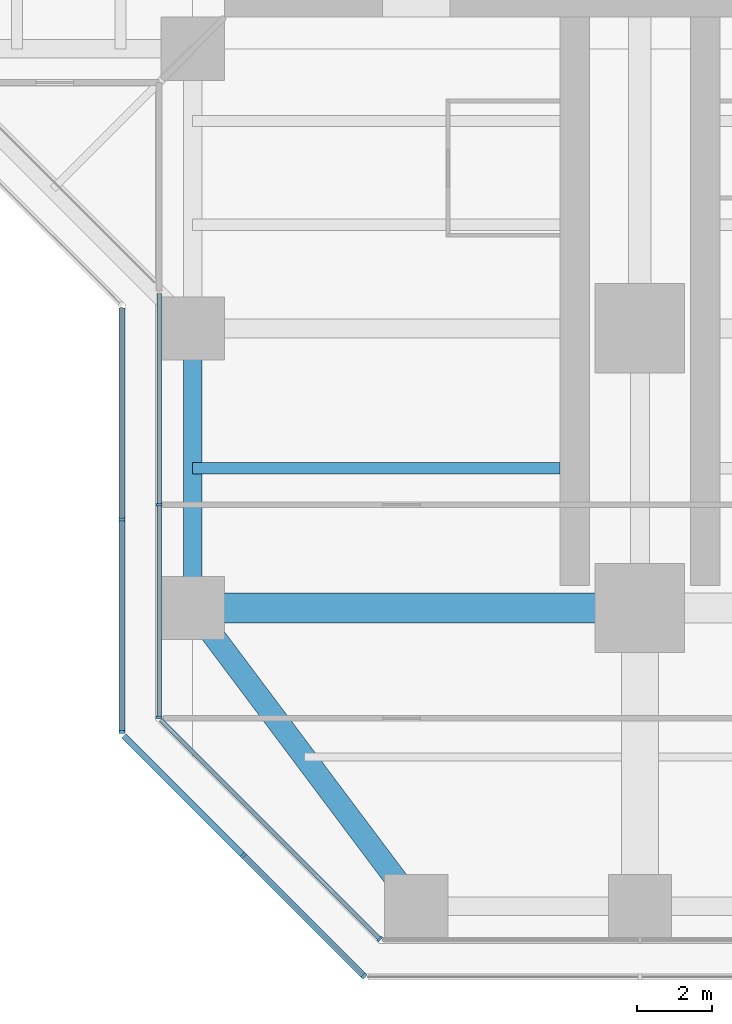
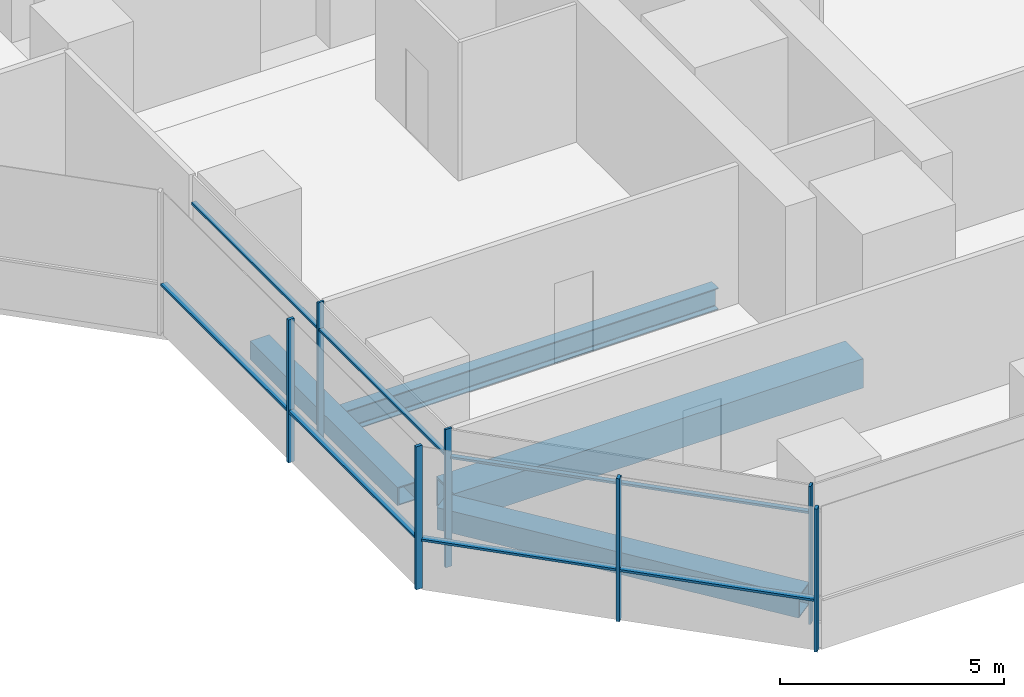
# One storey, part 2 of 22: 14 members, 4 beams, 4 elements without a shape of their own.
"""IFC4 building model written with IfcOpenShell, lengths in metres."""

import ifcopenshell
import ifcopenshell.guid

model = None  # the IFC model being written
_history = None  # IfcOwnerHistory: only IFC2X3 demands one
_inside = {}  # id of a spatial element -> (the spatial element, [elements in it])
_under = {}  # id of a project, library or spatial element -> (it, [spatial elements below it])
_declared = {}  # id of a project -> (the project, [libraries it declares])
_typed = {}  # id of a type object -> (the type object, [elements of that type])
_made_of = {}  # id of a material, layer set ... -> (it, [elements and type objects made of it])


def new_model(schema):
    """Start an empty IFC model of exactly this schema.

    Asked for "IFC4X3", IfcOpenShell would pick the latest addendum, in which some entities
    have other attributes; the version numbers below select the first issue.
    IFC2X3 requires an IfcOwnerHistory on every rooted entity: one is made here for all.
    """
    global model, _history
    if schema == "IFC4X3":
        model = ifcopenshell.file(schema_version=(4, 3, 0, 0))
    else:
        model = ifcopenshell.file(schema=schema)
    _inside.clear()
    _under.clear()
    _declared.clear()
    _typed.clear()
    _made_of.clear()
    _history = None
    if model.schema == "IFC2X3":
        org = make("IfcOrganization", Name="unknown")
        user = make(
            "IfcPersonAndOrganization",
            ThePerson=make("IfcPerson", FamilyName="unknown"),
            TheOrganization=org,
        )
        app = make(
            "IfcApplication",
            ApplicationDeveloper=org,
            Version="unknown",
            ApplicationFullName="unknown",
            ApplicationIdentifier="unknown",
        )
        _history = make(
            "IfcOwnerHistory",
            OwningUser=user,
            OwningApplication=app,
            ChangeAction="ADDED",
            CreationDate=0,
        )
    return model


def make(cls, **values):
    """One entity of the class cls with the attributes given. An attribute that is None is left unset."""
    return model.create_entity(
        cls, **{name: value for name, value in values.items() if value is not None}
    )


def rooted(cls, **values):
    """An entity with a GlobalId (a new one), such as an element, a storey or a relation."""
    return make(cls, GlobalId=ifcopenshell.guid.new(), OwnerHistory=_history, **values)


def si_unit(unit_type, name, prefix=None):
    """IfcSIUnit, for example si_unit("LENGTHUNIT", "METRE", prefix="MILLI")."""
    return make("IfcSIUnit", UnitType=unit_type, Prefix=prefix, Name=name)


def assignment(units):
    """IfcUnitAssignment: the units of a project."""
    return None if units is None else make("IfcUnitAssignment", Units=units)


def point(xyz):
    """IfcCartesianPoint."""
    return None if xyz is None else make("IfcCartesianPoint", Coordinates=xyz)


def direction(xyz):
    """IfcDirection."""
    return None if xyz is None else make("IfcDirection", DirectionRatios=xyz)


def frame(location, z_axis=None, x_axis=None):
    """IfcAxis2Placement3D, a coordinate frame: its origin and axes. An axis left out is left unset."""
    return make(
        "IfcAxis2Placement3D",
        Location=point(location),
        Axis=direction(z_axis),
        RefDirection=direction(x_axis),
    )


def frame_2d(location, x_axis=None):
    """IfcAxis2Placement2D, a coordinate frame in the plane: its origin and x axis."""
    return make(
        "IfcAxis2Placement2D", Location=point(location), RefDirection=direction(x_axis)
    )


def origin():
    """The frame at (0, 0, 0) with its axes left unset."""
    return frame((0.0, 0.0, 0.0))


def origin_2d():
    """The frame at (0, 0) in the plane with its x axis left unset."""
    return frame_2d((0.0, 0.0))


def place(relative_to, where):
    """IfcLocalPlacement: puts the frame where relative to a parent placement (None: the world)."""
    return make(
        "IfcLocalPlacement", PlacementRelTo=relative_to, RelativePlacement=where
    )


def context(
    kind, dimensions, precision=None, world=None, true_north=None, identifier=None
):
    """IfcGeometricRepresentationContext, for example the 3D "Model" context."""
    return make(
        "IfcGeometricRepresentationContext",
        ContextIdentifier=identifier,
        ContextType=kind,
        CoordinateSpaceDimension=dimensions,
        Precision=precision,
        WorldCoordinateSystem=world,
        TrueNorth=true_north,
    )


def subcontext(parent, identifier, kind, view, scale=None):
    """IfcGeometricRepresentationSubContext, for example "Body" below "Model"."""
    return make(
        "IfcGeometricRepresentationSubContext",
        ContextIdentifier=identifier,
        ContextType=kind,
        ParentContext=parent,
        TargetScale=scale,
        TargetView=view,
    )


def project(units=None, contexts=None):
    """IfcProject with its units and contexts."""
    return rooted(
        "IfcProject",
        Name="project",
        RepresentationContexts=contexts,
        UnitsInContext=assignment(units),
    )


def spatial(cls, under=None, at=None, **own):
    """A site, building, storey or space (cls), placed at a placement, below another one or the project."""
    s = rooted(cls, ObjectPlacement=at, **own)
    if under is not None:
        _under.setdefault(under.id(), (under, []))[1].append(s)
    return s


def profile(cls, at=None, kind="AREA", **sizes):
    """A parametric profile (cls). Its sizes go by their IFC names, for example OverallWidth=200.0."""
    return make(cls, ProfileType=kind, Position=at, **sizes)


def rectangle(**sizes):
    """IfcRectangleProfileDef."""
    return profile("IfcRectangleProfileDef", **sizes)


def hollow_rectangle(**sizes):
    """IfcRectangleHollowProfileDef."""
    return profile("IfcRectangleHollowProfileDef", **sizes)


def i_section(**sizes):
    """IfcIShapeProfileDef."""
    return profile("IfcIShapeProfileDef", **sizes)


def extrude(swept, where, along, depth):
    """IfcExtrudedAreaSolid: the profile swept, set in the frame where, extruded along a direction by depth."""
    return make(
        "IfcExtrudedAreaSolid",
        SweptArea=swept,
        Position=where,
        ExtrudedDirection=direction(along),
        Depth=depth,
    )


def shape(context_of_items, identifier, shape_type, items):
    """IfcShapeRepresentation: the items that make up one representation, for example the "Body"."""
    return make(
        "IfcShapeRepresentation",
        ContextOfItems=context_of_items,
        RepresentationIdentifier=identifier,
        RepresentationType=shape_type,
        Items=items,
    )


def material(Name=None, Category=None):
    """IfcMaterial."""
    return make("IfcMaterial", Name=Name, Category=Category)


def material_profile(
    of_material, cross_section, Name=None, Category=None, Priority=None
):
    """IfcMaterialProfile: a cross section and its material."""
    return make(
        "IfcMaterialProfile",
        Name=Name,
        Material=of_material,
        Profile=cross_section,
        Priority=Priority,
        Category=Category,
    )


def profile_set(profiles, Name=None, composite=None):
    """IfcMaterialProfileSet."""
    return make(
        "IfcMaterialProfileSet",
        Name=Name,
        MaterialProfiles=profiles,
        CompositeProfile=composite,
    )


def made_of(thing, what):
    """Note that an element or type object is made of a material, layer set ...; save() writes the relation."""
    if what is not None:
        _made_of.setdefault(what.id(), (what, []))[1].append(thing)
    return thing


def type_object(cls, material=None, **own):
    """A type object (cls), such as IfcWallType, which elements share."""
    return made_of(rooted(cls, **own), material)


def element(
    cls,
    number,
    at=None,
    inside=None,
    cuts=None,
    type_object=None,
    material=None,
    context=None,
    identifier="Body",
    shape_type=None,
    held_by="IfcProductDefinitionShape",
    body=None,
    shapes=None,
    **own,
):
    """One element of the class cls, such as IfcWall. Its Tag is "e" and its number.

    at: its placement. inside: the storey or other place that contains it. cuts: it is an
    opening in that element (IfcRelVoidsElement). A single representation is given by context,
    identifier, shape_type and body (its items); several are given by shapes. held_by: the class
    of the entity that holds the representations. save() writes the other relations.
    """
    e = rooted(cls, Tag="e%d" % number, ObjectPlacement=at, **own)
    if body is not None:
        shapes = [shape(context, identifier, shape_type, body)]
    if shapes is not None:
        e.Representation = make(held_by, Representations=shapes)
    if inside is not None:
        _inside.setdefault(inside.id(), (inside, []))[1].append(e)
    if cuts is not None:
        rooted(
            "IfcRelVoidsElement", RelatingBuildingElement=cuts, RelatedOpeningElement=e
        )
    if type_object is not None:
        _typed.setdefault(type_object.id(), (type_object, []))[1].append(e)
    return made_of(e, material)


def aggregate(whole, parts):
    """IfcRelAggregates: a whole, such as a stair, and the parts it consists of."""
    return rooted("IfcRelAggregates", RelatingObject=whole, RelatedObjects=parts)


def save(model, path):
    """Write the relations noted so far, then the file.

    IfcRelAggregates (storeys below a building ...), IfcRelContainedInSpatialStructure (elements
    in a storey), IfcRelDefinesByType, IfcRelAssociatesMaterial and IfcRelDeclares: one each for
    every whole, place, type object, material and project.
    """
    for whole, parts in _under.values():
        aggregate(whole, parts)
    for where, things in _inside.values():
        rooted(
            "IfcRelContainedInSpatialStructure",
            RelatedElements=things,
            RelatingStructure=where,
        )
    for kind, things in _typed.values():
        rooted("IfcRelDefinesByType", RelatedObjects=things, RelatingType=kind)
    for what, things in _made_of.values():
        rooted("IfcRelAssociatesMaterial", RelatedObjects=things, RelatingMaterial=what)
    for by, libraries in _declared.values():
        rooted("IfcRelDeclares", RelatingContext=by, RelatedDefinitions=libraries)
    model.write(path)


model = new_model("IFC4")

# Units and contexts
model_context = context("Model", 3, precision=1e-05, world=origin(), true_north=direction((0.0, 1.0)))
body_context = subcontext(model_context, "Body", "Model", "MODEL_VIEW")
ifc_project = project(units=[si_unit("LENGTHUNIT", "METRE"), si_unit("AREAUNIT", "SQUARE_METRE"), si_unit("VOLUMEUNIT", "CUBIC_METRE"), si_unit("PLANEANGLEUNIT", "RADIAN"), si_unit("MASSUNIT", "GRAM", prefix="KILO")], contexts=[model_context])

# Site, building, storey
site_placement = place(None, origin())
site = spatial("IfcSite", under=ifc_project, at=site_placement, CompositionType="ELEMENT")
building_placement = place(site_placement, origin())
building = spatial("IfcBuilding", under=site, at=building_placement, Name="Mizan Broadcast Tower", CompositionType="ELEMENT")
storey_placement = place(building_placement, frame((0.0, 0.0, 94.199951171875)))
storey = spatial("IfcBuildingStorey", under=building, at=storey_placement, Name="L20", CompositionType="ELEMENT", Elevation=94.199951171875)

# Beams
ifc_material_1 = material(Name="Steel S355", Category="steel")
ifc_material_profile_1 = material_profile(ifc_material_1, hollow_rectangle(XDim=0.5, YDim=0.5, WallThickness=0.030029296875, at=origin_2d()), Name="BOX 500x500x30")
ifc_profile_set_1 = profile_set([ifc_material_profile_1], Name="Steel S355")
beam_type_1 = type_object("IfcBeamType", Name="EDGE BEAM BOX 500x500x30", PredefinedType="SPANDREL", material=ifc_profile_set_1)
beam_1_placement = place(storey_placement, frame((-12.0, -19.949951171875, -0.3798828125), z_axis=(0.0, -1.0, 0.0), x_axis=(1.0, 0.0, 0.0)))
element("IfcBeam", 1, at=beam_1_placement, inside=storey, type_object=beam_type_1, Name="Edge beam BOX 500x500x30 L20 south arm", PredefinedType="SPANDREL", context=body_context, shape_type="SweptSolid", body=[
    extrude(hollow_rectangle(XDim=0.5, YDim=0.5, WallThickness=0.030029296875, at=origin_2d()), origin(), (0.0, 0.0, 1.0), 6.60009765625),
])
ifc_material_2 = material(Name="Steel S355", Category="steel")
ifc_material_profile_2 = material_profile(ifc_material_2, hollow_rectangle(XDim=0.60009765625, YDim=0.60009765625, WallThickness=0.030029296875, at=origin_2d()), Name="BOX 600x600x30")
ifc_profile_set_2 = profile_set([ifc_material_profile_2], Name="Steel S355")
beam_type_2 = type_object("IfcBeamType", Name="EDGE BEAM BOX 600x600x30", PredefinedType="SPANDREL", material=ifc_profile_set_2)
beam_2_placement = place(storey_placement, frame((-11.639892578125, -27.47998046875, -0.429931640625), z_axis=(0.599982243973, -0.800013316712, 0.0), x_axis=(0.800013316712, 0.599982243973, 0.0)))
element("IfcBeam", 2, at=beam_2_placement, inside=storey, type_object=beam_type_2, Name="Edge beam BOX 600x600x30 L20 south arm", PredefinedType="SPANDREL", context=body_context, shape_type="SweptSolid", body=[
    extrude(hollow_rectangle(XDim=0.60009765625, YDim=0.60009765625, WallThickness=0.030029296875, at=origin_2d()), origin(), (0.0, 0.0, 1.0), 8.7998046875),
])
ifc_material_3 = material(Name="Steel S460", Category="steel")
ifc_material_profile_3 = material_profile(ifc_material_3, hollow_rectangle(XDim=0.800048828125, YDim=0.800048828125, WallThickness=0.050048828125, at=origin_2d()), Name="BOX 800x800x50")
ifc_profile_set_3 = profile_set([ifc_material_profile_3], Name="Steel S460")
beam_type_3 = type_object("IfcBeamType", Name="GIRDER BOX 800x800x50", PredefinedType="BEAM", material=ifc_profile_set_3)
beam_3_placement = place(storey_placement, frame((-11.280029296875, -27.0, -0.530029296875), z_axis=(1.0, 0.0, 0.0), x_axis=(0.0, 1.0, 0.0)))
element("IfcBeam", 3, at=beam_3_placement, inside=storey, type_object=beam_type_3, Name="Girder BOX 800x800x50 L20 south arm", PredefinedType="BEAM", context=body_context, shape_type="SweptSolid", body=[
    extrude(hollow_rectangle(XDim=0.800048828125, YDim=0.800048828125, WallThickness=0.050048828125, at=origin_2d()), origin(), (0.0, 0.0, 1.0), 10.56005859375),
])

# Curtain wall, members
ifc_material_4 = material(Name="Aluminium framed glazing", Category="aluminium")
curtain_wall_type_1 = type_object("IfcCurtainWallType", Name="INNER SKIN LOW ZONE", PredefinedType="USERDEFINED", material=ifc_material_4)
curtain_wall_1_placement = place(storey_placement, origin())
curtain_wall_1 = element("IfcCurtainWall", 4, at=curtain_wall_1_placement, inside=storey, type_object=curtain_wall_type_1, Name="Inner skin low zone L20 S side", ObjectType="INNER SKIN LOW ZONE", PredefinedType="USERDEFINED")
ifc_material_5 = material(Name="Aluminium, pale anodised", Category="aluminium")
ifc_material_profile_4 = material_profile(ifc_material_5, rectangle(XDim=0.159912109375, YDim=0.06005859375, at=origin_2d()), Name="MULLION 160x60")
ifc_profile_set_4 = profile_set([ifc_material_profile_4], Name="Aluminium, pale anodised")
member_type_1 = type_object("IfcMemberType", Name="INNER SKIN MULLION 60x160", PredefinedType="MULLION", material=ifc_profile_set_4)
member_1_placement = place(storey_placement, frame((-12.89990234375, -24.229248046875, 0.0), z_axis=(0.0, 0.0, 1.0), x_axis=(1.0, 0.0, 0.0)))
member_1 = element("IfcMember", 5, at=member_1_placement, type_object=member_type_1, Name="Inner skin low zone L20 S side mullion 2", PredefinedType="MULLION", context=body_context, shape_type="SweptSolid", body=[
    extrude(rectangle(XDim=0.159912109375, YDim=0.06005859375, at=origin_2d()), origin(), (0.0, 0.0, 1.0), 3.77001953125),
])
member_2_placement = place(storey_placement, frame((-12.89990234375, -29.928466796875, 0.0), z_axis=(0.0, 0.0, 1.0), x_axis=(1.0, 0.0, 0.0)))
member_2 = element("IfcMember", 6, at=member_2_placement, type_object=member_type_1, Name="Inner skin low zone L20 S side mullion 3", PredefinedType="MULLION", context=body_context, shape_type="SweptSolid", body=[
    extrude(rectangle(XDim=0.159912109375, YDim=0.06005859375, at=origin_2d()), origin(), (0.0, 0.0, 1.0), 3.77001953125),
])

# Curtain wall, member
curtain_wall_2_placement = place(storey_placement, origin())
curtain_wall_2 = element("IfcCurtainWall", 7, at=curtain_wall_2_placement, inside=storey, type_object=curtain_wall_type_1, Name="Inner skin low zone L20 S chamfer", ObjectType="INNER SKIN LOW ZONE", PredefinedType="USERDEFINED")
member_3_placement = place(storey_placement, frame((-6.979736328125, -35.87890625, 0.0), z_axis=(0.0, 0.0, 1.0), x_axis=(0.707106781187, 0.707106781187, 0.0)))
member_3 = element("IfcMember", 8, at=member_3_placement, type_object=member_type_1, Name="Inner skin low zone L20 S chamfer mullion 2", PredefinedType="MULLION", context=body_context, shape_type="SweptSolid", body=[
    extrude(rectangle(XDim=0.159912109375, YDim=0.06005859375, at=origin_2d()), origin(), (0.0, 0.0, 1.0), 3.77001953125),
])

# Member
ifc_material_6 = material(Name="Aluminium, pale anodised", Category="aluminium")
ifc_material_profile_5 = material_profile(ifc_material_6, rectangle(XDim=0.1201171875, YDim=0.06005859375, at=origin_2d()), Name="TRANSOM 120x60")
ifc_profile_set_5 = profile_set([ifc_material_profile_5], Name="Aluminium, pale anodised")
member_type_2 = type_object("IfcMemberType", Name="INNER SKIN TRANSOM 60x120", PredefinedType="USERDEFINED", material=ifc_profile_set_5)
member_4_placement = place(storey_placement, frame((-12.89990234375, -18.56005859375, 3.030029296875), z_axis=(0.0, -1.0, 0.0), x_axis=(1.0, 0.0, 0.0)))
member_4 = element("IfcMember", 9, at=member_4_placement, type_object=member_type_2, Name="Inner skin low zone L20 S side transom 1.1", ObjectType="TRANSOM", PredefinedType="USERDEFINED", context=body_context, shape_type="SweptSolid", body=[
    extrude(rectangle(XDim=0.1201171875, YDim=0.06005859375, at=origin_2d()), origin(), (0.0, 0.0, 1.0), 5.63916015625),
])

member_5_placement = place(storey_placement, frame((-12.89990234375, -24.25927734375, 3.030029296875), z_axis=(0.0, -1.0, 0.0), x_axis=(1.0, 0.0, 0.0)))
member_5 = element("IfcMember", 10, at=member_5_placement, type_object=member_type_2, Name="Inner skin low zone L20 S side transom 2.1", ObjectType="TRANSOM", PredefinedType="USERDEFINED", context=body_context, shape_type="SweptSolid", body=[
    extrude(rectangle(XDim=0.1201171875, YDim=0.06005859375, at=origin_2d()), origin(), (0.0, 0.0, 1.0), 5.639404296875),
])

aggregate(curtain_wall_1, [member_1, member_2, member_4, member_5])

member_6_placement = place(storey_placement, frame((-12.857666015625, -30.0009765625, 3.030029296875), z_axis=(0.707106781187, -0.707106781187, 0.0), x_axis=(0.707106781187, 0.707106781187, 0.0)))
member_6 = element("IfcMember", 11, at=member_6_placement, type_object=member_type_2, Name="Inner skin low zone L20 S chamfer transom 1.1", ObjectType="TRANSOM", PredefinedType="USERDEFINED", context=body_context, shape_type="SweptSolid", body=[
    extrude(rectangle(XDim=0.1201171875, YDim=0.06005859375, at=origin_2d()), origin(), (0.0, 0.0, 1.0), 8.28271484375),
])

aggregate(curtain_wall_2, [member_3, member_6])

# Curtain wall, members
ifc_material_7 = material(Name="Aluminium framed glazing", Category="aluminium")
curtain_wall_type_2 = type_object("IfcCurtainWallType", Name="OUTER SKIN", PredefinedType="USERDEFINED", material=ifc_material_7)
curtain_wall_3_placement = place(storey_placement, origin())
curtain_wall_3 = element("IfcCurtainWall", 12, at=curtain_wall_3_placement, inside=storey, type_object=curtain_wall_type_2, Name="Outer skin L20 S side", ObjectType="OUTER SKIN", PredefinedType="USERDEFINED")
ifc_material_8 = material(Name="Aluminium, pale anodised", Category="aluminium")
ifc_material_profile_6 = material_profile(ifc_material_8, rectangle(XDim=0.159912109375, YDim=0.080078125, at=origin_2d()), Name="MULLION 160x80")
ifc_profile_set_6 = profile_set([ifc_material_profile_6], Name="Aluminium, pale anodised")
member_type_3 = type_object("IfcMemberType", Name="OUTER SKIN MULLION 80x160", PredefinedType="MULLION", material=ifc_profile_set_6)
member_7_placement = place(storey_placement, frame((-13.89990234375, -24.622802734375, 0.0), z_axis=(0.0, 0.0, 1.0), x_axis=(1.0, 0.0, 0.0)))
member_7 = element("IfcMember", 13, at=member_7_placement, type_object=member_type_3, Name="Outer skin L20 S side mullion 2", PredefinedType="MULLION", context=body_context, shape_type="SweptSolid", body=[
    extrude(rectangle(XDim=0.159912109375, YDim=0.080078125, at=origin_2d()), origin(), (0.0, 0.0, 1.0), 3.900146484375),
])
member_8_placement = place(storey_placement, frame((-13.89990234375, -30.332763671875, 0.0), z_axis=(0.0, 0.0, 1.0), x_axis=(1.0, 0.0, 0.0)))
member_8 = element("IfcMember", 14, at=member_8_placement, type_object=member_type_3, Name="Outer skin L20 S side mullion 3", PredefinedType="MULLION", context=body_context, shape_type="SweptSolid", body=[
    extrude(rectangle(XDim=0.159912109375, YDim=0.080078125, at=origin_2d()), origin(), (0.0, 0.0, 1.0), 3.900146484375),
])

curtain_wall_4_placement = place(storey_placement, origin())
curtain_wall_4 = element("IfcCurtainWall", 15, at=curtain_wall_4_placement, inside=storey, type_object=curtain_wall_type_2, Name="Outer skin L20 S chamfer", ObjectType="OUTER SKIN", PredefinedType="USERDEFINED")
member_9_placement = place(storey_placement, frame((-10.636474609375, -33.636474609375, 0.0), z_axis=(0.0, 0.0, 1.0), x_axis=(0.707106781187, 0.707106781187, 0.0)))
member_9 = element("IfcMember", 16, at=member_9_placement, type_object=member_type_3, Name="Outer skin L20 S chamfer mullion 2", PredefinedType="MULLION", context=body_context, shape_type="SweptSolid", body=[
    extrude(rectangle(XDim=0.159912109375, YDim=0.080078125, at=origin_2d()), origin(), (0.0, 0.0, 1.0), 3.900146484375),
])
member_10_placement = place(storey_placement, frame((-7.401123046875, -36.871826171875, 0.0), z_axis=(0.0, 0.0, 1.0), x_axis=(0.707106781187, 0.707106781187, 0.0)))
member_10 = element("IfcMember", 17, at=member_10_placement, type_object=member_type_3, Name="Outer skin L20 S chamfer mullion 3", PredefinedType="MULLION", context=body_context, shape_type="SweptSolid", body=[
    extrude(rectangle(XDim=0.159912109375, YDim=0.080078125, at=origin_2d()), origin(), (0.0, 0.0, 1.0), 3.900146484375),
])

# Member
ifc_material_9 = material(Name="Aluminium, pale anodised", Category="aluminium")
ifc_material_profile_7 = material_profile(ifc_material_9, rectangle(XDim=0.159912109375, YDim=0.06005859375, at=origin_2d()), Name="TRANSOM 160x60")
ifc_profile_set_7 = profile_set([ifc_material_profile_7], Name="Aluminium, pale anodised")
member_type_4 = type_object("IfcMemberType", Name="OUTER SKIN TRANSOM 60x160", PredefinedType="USERDEFINED", material=ifc_profile_set_7)
member_11_placement = place(storey_placement, frame((-13.89990234375, -18.952880859375, 1.400146484375), z_axis=(0.0, -1.0, 0.0), x_axis=(1.0, 0.0, 0.0)))
member_11 = element("IfcMember", 18, at=member_11_placement, type_object=member_type_4, Name="Outer skin L20 S side transom 1.1", ObjectType="TRANSOM", PredefinedType="USERDEFINED", context=body_context, shape_type="SweptSolid", body=[
    extrude(rectangle(XDim=0.159912109375, YDim=0.06005859375, at=origin_2d()), origin(), (0.0, 0.0, 1.0), 5.6298828125),
])

member_12_placement = place(storey_placement, frame((-13.89990234375, -24.662841796875, 1.400146484375), z_axis=(0.0, -1.0, 0.0), x_axis=(1.0, 0.0, 0.0)))
member_12 = element("IfcMember", 19, at=member_12_placement, type_object=member_type_4, Name="Outer skin L20 S side transom 2.1", ObjectType="TRANSOM", PredefinedType="USERDEFINED", context=body_context, shape_type="SweptSolid", body=[
    extrude(rectangle(XDim=0.159912109375, YDim=0.06005859375, at=origin_2d()), origin(), (0.0, 0.0, 1.0), 5.6298828125),
])

aggregate(curtain_wall_3, [member_7, member_8, member_11, member_12])

member_13_placement = place(storey_placement, frame((-13.843505859375, -30.429443359375, 1.400146484375), z_axis=(0.707106781187, -0.707106781187, 0.0), x_axis=(0.707106781187, 0.707106781187, 0.0)))
member_13 = element("IfcMember", 20, at=member_13_placement, type_object=member_type_4, Name="Outer skin L20 S chamfer transom 1.1", ObjectType="TRANSOM", PredefinedType="USERDEFINED", context=body_context, shape_type="SweptSolid", body=[
    extrude(rectangle(XDim=0.159912109375, YDim=0.06005859375, at=origin_2d()), origin(), (0.0, 0.0, 1.0), 4.495361328125),
])

member_14_placement = place(storey_placement, frame((-10.608154296875, -33.664794921875, 1.400146484375), z_axis=(0.707106781187, -0.707106781187, 0.0), x_axis=(0.707106781187, 0.707106781187, 0.0)))
member_14 = element("IfcMember", 21, at=member_14_placement, type_object=member_type_4, Name="Outer skin L20 S chamfer transom 2.1", ObjectType="TRANSOM", PredefinedType="USERDEFINED", context=body_context, shape_type="SweptSolid", body=[
    extrude(rectangle(XDim=0.159912109375, YDim=0.06005859375, at=origin_2d()), origin(), (0.0, 0.0, 1.0), 4.495361328125),
])

aggregate(curtain_wall_4, [member_9, member_10, member_13, member_14])

# Beam
ifc_material_10 = material(Name="Steel S355", Category="steel")
ifc_material_profile_8 = material_profile(ifc_material_10, i_section(OverallWidth=0.300048828125, OverallDepth=0.590087890625, WebThickness=0.012939453125, FlangeThickness=0.02490234375, FilletRadius=0.027099609375, at=origin_2d()), Name="HEA 600")
ifc_profile_set_8 = profile_set([ifc_material_profile_8], Name="Steel S355")
beam_type_4 = type_object("IfcBeamType", Name="SECONDARY BEAM HEA 600", PredefinedType="JOIST", material=ifc_profile_set_8)
beam_4_placement = place(storey_placement, frame((-12.0, -23.25, -0.425048828125), z_axis=(1.0, 0.0, 0.0), x_axis=(0.0, 1.0, 0.0)))
element("IfcBeam", 22, at=beam_4_placement, inside=storey, type_object=beam_type_4, Name="Secondary beam HEA 600 L20 south arm", PredefinedType="JOIST", context=body_context, shape_type="SweptSolid", body=[
    extrude(i_section(OverallWidth=0.300048828125, OverallDepth=0.590087890625, WebThickness=0.012939453125, FlangeThickness=0.02490234375, FilletRadius=0.027099609375, at=origin_2d()), origin(), (0.0, 0.0, 1.0), 9.85009765625),
])

save(model, "model.ifc")
